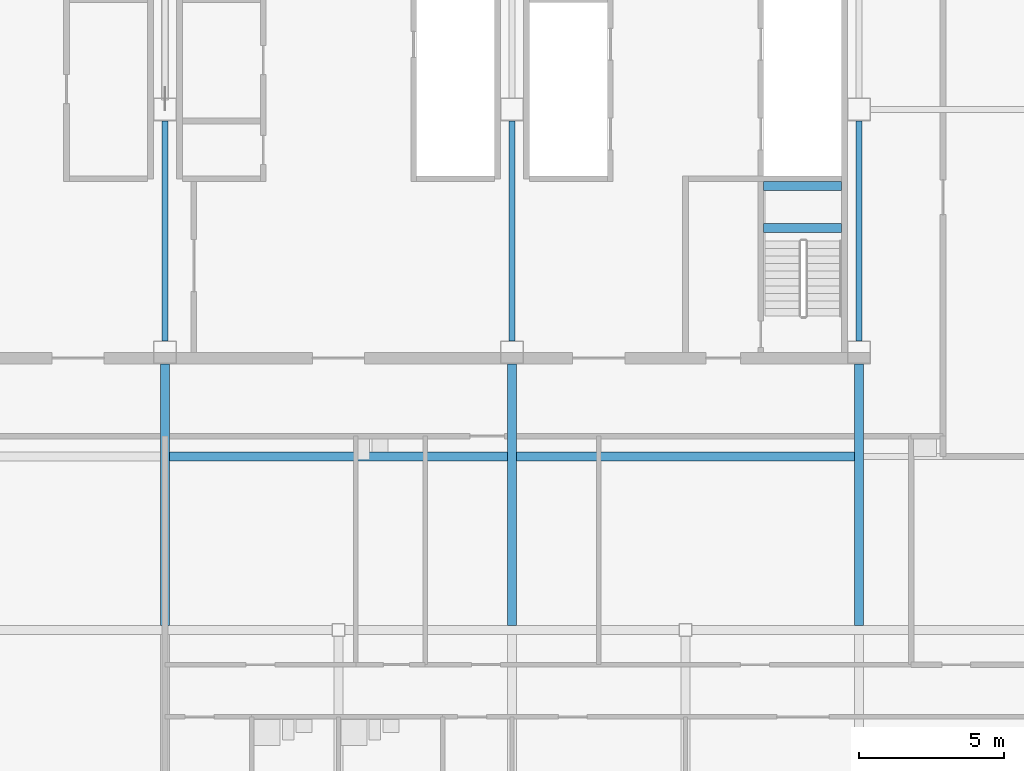
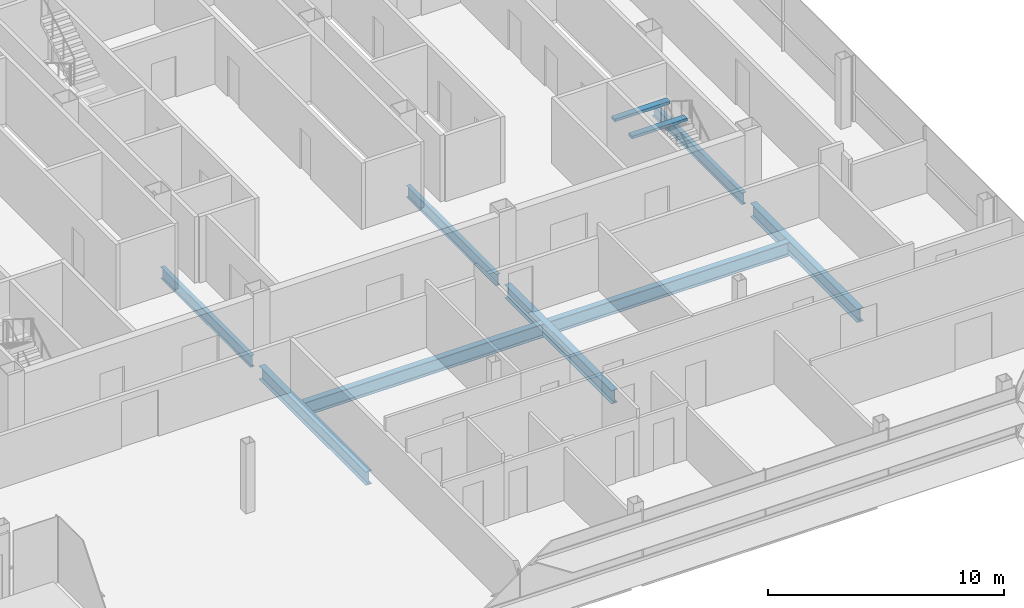
# One storey, part 14 of 31: 10 beams.
"""IFC4 building model written with IfcOpenShell, lengths in metres."""

import ifcopenshell
import ifcopenshell.guid

model = None  # the IFC model being written
_history = None  # IfcOwnerHistory: only IFC2X3 demands one
_inside = {}  # id of a spatial element -> (the spatial element, [elements in it])
_under = {}  # id of a project, library or spatial element -> (it, [spatial elements below it])
_declared = {}  # id of a project -> (the project, [libraries it declares])
_typed = {}  # id of a type object -> (the type object, [elements of that type])
_made_of = {}  # id of a material, layer set ... -> (it, [elements and type objects made of it])


def new_model(schema):
    """Start an empty IFC model of exactly this schema.

    Asked for "IFC4X3", IfcOpenShell would pick the latest addendum, in which some entities
    have other attributes; the version numbers below select the first issue.
    IFC2X3 requires an IfcOwnerHistory on every rooted entity: one is made here for all.
    """
    global model, _history
    if schema == "IFC4X3":
        model = ifcopenshell.file(schema_version=(4, 3, 0, 0))
    else:
        model = ifcopenshell.file(schema=schema)
    _inside.clear()
    _under.clear()
    _declared.clear()
    _typed.clear()
    _made_of.clear()
    _history = None
    if model.schema == "IFC2X3":
        org = make("IfcOrganization", Name="unknown")
        user = make(
            "IfcPersonAndOrganization",
            ThePerson=make("IfcPerson", FamilyName="unknown"),
            TheOrganization=org,
        )
        app = make(
            "IfcApplication",
            ApplicationDeveloper=org,
            Version="unknown",
            ApplicationFullName="unknown",
            ApplicationIdentifier="unknown",
        )
        _history = make(
            "IfcOwnerHistory",
            OwningUser=user,
            OwningApplication=app,
            ChangeAction="ADDED",
            CreationDate=0,
        )
    return model


def make(cls, **values):
    """One entity of the class cls with the attributes given. An attribute that is None is left unset."""
    return model.create_entity(
        cls, **{name: value for name, value in values.items() if value is not None}
    )


def rooted(cls, **values):
    """An entity with a GlobalId (a new one), such as an element, a storey or a relation."""
    return make(cls, GlobalId=ifcopenshell.guid.new(), OwnerHistory=_history, **values)


def si_unit(unit_type, name, prefix=None):
    """IfcSIUnit, for example si_unit("LENGTHUNIT", "METRE", prefix="MILLI")."""
    return make("IfcSIUnit", UnitType=unit_type, Prefix=prefix, Name=name)


def assignment(units):
    """IfcUnitAssignment: the units of a project."""
    return None if units is None else make("IfcUnitAssignment", Units=units)


def point(xyz):
    """IfcCartesianPoint."""
    return None if xyz is None else make("IfcCartesianPoint", Coordinates=xyz)


def direction(xyz):
    """IfcDirection."""
    return None if xyz is None else make("IfcDirection", DirectionRatios=xyz)


def frame(location, z_axis=None, x_axis=None):
    """IfcAxis2Placement3D, a coordinate frame: its origin and axes. An axis left out is left unset."""
    return make(
        "IfcAxis2Placement3D",
        Location=point(location),
        Axis=direction(z_axis),
        RefDirection=direction(x_axis),
    )


def frame_2d(location, x_axis=None):
    """IfcAxis2Placement2D, a coordinate frame in the plane: its origin and x axis."""
    return make(
        "IfcAxis2Placement2D", Location=point(location), RefDirection=direction(x_axis)
    )


def origin():
    """The frame at (0, 0, 0) with its axes left unset."""
    return frame((0.0, 0.0, 0.0))


def origin_2d():
    """The frame at (0, 0) in the plane with its x axis left unset."""
    return frame_2d((0.0, 0.0))


def place(relative_to, where):
    """IfcLocalPlacement: puts the frame where relative to a parent placement (None: the world)."""
    return make(
        "IfcLocalPlacement", PlacementRelTo=relative_to, RelativePlacement=where
    )


def context(
    kind, dimensions, precision=None, world=None, true_north=None, identifier=None
):
    """IfcGeometricRepresentationContext, for example the 3D "Model" context."""
    return make(
        "IfcGeometricRepresentationContext",
        ContextIdentifier=identifier,
        ContextType=kind,
        CoordinateSpaceDimension=dimensions,
        Precision=precision,
        WorldCoordinateSystem=world,
        TrueNorth=true_north,
    )


def subcontext(parent, identifier, kind, view, scale=None):
    """IfcGeometricRepresentationSubContext, for example "Body" below "Model"."""
    return make(
        "IfcGeometricRepresentationSubContext",
        ContextIdentifier=identifier,
        ContextType=kind,
        ParentContext=parent,
        TargetScale=scale,
        TargetView=view,
    )


def project(units=None, contexts=None):
    """IfcProject with its units and contexts."""
    return rooted(
        "IfcProject",
        Name="project",
        RepresentationContexts=contexts,
        UnitsInContext=assignment(units),
    )


def spatial(cls, under=None, at=None, **own):
    """A site, building, storey or space (cls), placed at a placement, below another one or the project."""
    s = rooted(cls, ObjectPlacement=at, **own)
    if under is not None:
        _under.setdefault(under.id(), (under, []))[1].append(s)
    return s


def profile(cls, at=None, kind="AREA", **sizes):
    """A parametric profile (cls). Its sizes go by their IFC names, for example OverallWidth=200.0."""
    return make(cls, ProfileType=kind, Position=at, **sizes)


def rectangle(**sizes):
    """IfcRectangleProfileDef."""
    return profile("IfcRectangleProfileDef", **sizes)


def i_section(**sizes):
    """IfcIShapeProfileDef."""
    return profile("IfcIShapeProfileDef", **sizes)


def extrude(swept, where, along, depth):
    """IfcExtrudedAreaSolid: the profile swept, set in the frame where, extruded along a direction by depth."""
    return make(
        "IfcExtrudedAreaSolid",
        SweptArea=swept,
        Position=where,
        ExtrudedDirection=direction(along),
        Depth=depth,
    )


def shape(context_of_items, identifier, shape_type, items):
    """IfcShapeRepresentation: the items that make up one representation, for example the "Body"."""
    return make(
        "IfcShapeRepresentation",
        ContextOfItems=context_of_items,
        RepresentationIdentifier=identifier,
        RepresentationType=shape_type,
        Items=items,
    )


def material(Name=None, Category=None):
    """IfcMaterial."""
    return make("IfcMaterial", Name=Name, Category=Category)


def material_profile(
    of_material, cross_section, Name=None, Category=None, Priority=None
):
    """IfcMaterialProfile: a cross section and its material."""
    return make(
        "IfcMaterialProfile",
        Name=Name,
        Material=of_material,
        Profile=cross_section,
        Priority=Priority,
        Category=Category,
    )


def profile_set(profiles, Name=None, composite=None):
    """IfcMaterialProfileSet."""
    return make(
        "IfcMaterialProfileSet",
        Name=Name,
        MaterialProfiles=profiles,
        CompositeProfile=composite,
    )


def made_of(thing, what):
    """Note that an element or type object is made of a material, layer set ...; save() writes the relation."""
    if what is not None:
        _made_of.setdefault(what.id(), (what, []))[1].append(thing)
    return thing


def type_object(cls, material=None, **own):
    """A type object (cls), such as IfcWallType, which elements share."""
    return made_of(rooted(cls, **own), material)


def element(
    cls,
    number,
    at=None,
    inside=None,
    cuts=None,
    type_object=None,
    material=None,
    context=None,
    identifier="Body",
    shape_type=None,
    held_by="IfcProductDefinitionShape",
    body=None,
    shapes=None,
    **own,
):
    """One element of the class cls, such as IfcWall. Its Tag is "e" and its number.

    at: its placement. inside: the storey or other place that contains it. cuts: it is an
    opening in that element (IfcRelVoidsElement). A single representation is given by context,
    identifier, shape_type and body (its items); several are given by shapes. held_by: the class
    of the entity that holds the representations. save() writes the other relations.
    """
    e = rooted(cls, Tag="e%d" % number, ObjectPlacement=at, **own)
    if body is not None:
        shapes = [shape(context, identifier, shape_type, body)]
    if shapes is not None:
        e.Representation = make(held_by, Representations=shapes)
    if inside is not None:
        _inside.setdefault(inside.id(), (inside, []))[1].append(e)
    if cuts is not None:
        rooted(
            "IfcRelVoidsElement", RelatingBuildingElement=cuts, RelatedOpeningElement=e
        )
    if type_object is not None:
        _typed.setdefault(type_object.id(), (type_object, []))[1].append(e)
    return made_of(e, material)


def aggregate(whole, parts):
    """IfcRelAggregates: a whole, such as a stair, and the parts it consists of."""
    return rooted("IfcRelAggregates", RelatingObject=whole, RelatedObjects=parts)


def save(model, path):
    """Write the relations noted so far, then the file.

    IfcRelAggregates (storeys below a building ...), IfcRelContainedInSpatialStructure (elements
    in a storey), IfcRelDefinesByType, IfcRelAssociatesMaterial and IfcRelDeclares: one each for
    every whole, place, type object, material and project.
    """
    for whole, parts in _under.values():
        aggregate(whole, parts)
    for where, things in _inside.values():
        rooted(
            "IfcRelContainedInSpatialStructure",
            RelatedElements=things,
            RelatingStructure=where,
        )
    for kind, things in _typed.values():
        rooted("IfcRelDefinesByType", RelatedObjects=things, RelatingType=kind)
    for what, things in _made_of.values():
        rooted("IfcRelAssociatesMaterial", RelatedObjects=things, RelatingMaterial=what)
    for by, libraries in _declared.values():
        rooted("IfcRelDeclares", RelatingContext=by, RelatedDefinitions=libraries)
    model.write(path)


model = new_model("IFC4")

# Units and contexts
model_context = context("Model", 3, precision=1e-05, world=origin(), true_north=direction((0.0, 1.0)))
body_context = subcontext(model_context, "Body", "Model", "MODEL_VIEW")
ifc_project = project(units=[si_unit("LENGTHUNIT", "METRE"), si_unit("AREAUNIT", "SQUARE_METRE"), si_unit("VOLUMEUNIT", "CUBIC_METRE"), si_unit("PLANEANGLEUNIT", "RADIAN"), si_unit("MASSUNIT", "GRAM", prefix="KILO")], contexts=[model_context])

# Site, building, storey
site_placement = place(None, origin())
site = spatial("IfcSite", under=ifc_project, at=site_placement, CompositionType="ELEMENT")
building_placement = place(site_placement, origin())
building = spatial("IfcBuilding", under=site, at=building_placement, Name="Sorahane Residences", CompositionType="ELEMENT")
storey_placement = place(building_placement, frame((0.0, 0.0, 319.60009765625)))
storey = spatial("IfcBuildingStorey", under=building, at=storey_placement, Name="L76", CompositionType="ELEMENT", Elevation=319.60009765625)

# Beams
ifc_material_1 = material(Name="Concrete C40", Category="concrete")
ifc_material_profile_1 = material_profile(ifc_material_1, rectangle(XDim=0.300048828125, YDim=0.139892578125, at=origin_2d()), Name="300x140")
ifc_profile_set_1 = profile_set([ifc_material_profile_1], Name="Concrete C40")
beam_type_1 = type_object("IfcBeamType", Name="RC landing beam 300 x 140 Concrete C40", PredefinedType="BEAM", material=ifc_profile_set_1)
for number, where, z_axis, x_axis, name in (
    (1, (38.699951171875, 25.89990234375, 1.52978515625), (1.0, 0.0, 0.0), (0.0, 1.0, 0.0), "Landing beam"),
    (2, (38.699951171875, 27.35009765625, 1.52978515625), (1.0, 0.0, 0.0), (0.0, 1.0, 0.0), "Landing beam"),
):
    element("IfcBeam", number, at=place(storey_placement, frame(where, z_axis=z_axis, x_axis=x_axis)), inside=storey, type_object=beam_type_1, Name=name, PredefinedType="BEAM", context=body_context, shape_type="SweptSolid", body=[
        extrude(rectangle(XDim=0.300048828125, YDim=0.139892578125, at=origin_2d()), origin(), (0.0, 0.0, 1.0), 2.699951171875),
    ])
ifc_material_2 = material(Name="Steel Q355B", Category="steel")
ifc_material_profile_2 = material_profile(ifc_material_2, i_section(OverallWidth=0.199951171875, OverallDepth=0.60009765625, WebThickness=0.010986328125, FlangeThickness=0.01708984375, FilletRadius=0.02392578125, at=origin_2d()), Name="HN 600x200x11x17")
ifc_profile_set_2 = profile_set([ifc_material_profile_2], Name="Steel Q355B")
beam_type_2 = type_object("IfcBeamType", Name="Steel floor beam HN 600x200x11x17 Q355B", PredefinedType="BEAM", material=ifc_profile_set_2)
for number, where, z_axis, x_axis, name in (
    (3, (18.0, 22.0, -0.47998046875), (0.0, 1.0, 0.0), (-1.0, 0.0, 0.0), "Beam L76 041"),
    (4, (30.0, 22.0, -0.47998046875), (0.0, 1.0, 0.0), (-1.0, 0.0, 0.0), "Beam L76 049"),
    (5, (42.0, 22.0, -0.47998046875), (0.0, 1.0, 0.0), (-1.0, 0.0, 0.0), "Beam L76 057"),
):
    element("IfcBeam", number, at=place(storey_placement, frame(where, z_axis=z_axis, x_axis=x_axis)), inside=storey, type_object=beam_type_2, Name=name, PredefinedType="BEAM", context=body_context, shape_type="SweptSolid", body=[
        extrude(i_section(OverallWidth=0.199951171875, OverallDepth=0.60009765625, WebThickness=0.010986328125, FlangeThickness=0.01708984375, FilletRadius=0.02392578125, at=origin_2d()), origin(), (0.0, 0.0, 1.0), 7.60009765625),
    ])
ifc_material_3 = material(Name="Steel Q355B", Category="steel")
ifc_material_profile_3 = material_profile(ifc_material_3, i_section(OverallWidth=0.300048828125, OverallDepth=0.699951171875, WebThickness=0.012939453125, FlangeThickness=0.02392578125, FilletRadius=0.028076171875, at=origin_2d()), Name="HN 700x300x13x24")
ifc_profile_set_3 = profile_set([ifc_material_profile_3], Name="Steel Q355B")
beam_type_3 = type_object("IfcBeamType", Name="Steel floor beam HN 700x300x13x24 Q355B", PredefinedType="BEAM", material=ifc_profile_set_3)
for number, where, z_axis, x_axis, name in (
    (6, (18.0, 12.14990234375, -0.530029296875), (0.0, 1.0, 0.0), (-1.0, 0.0, 0.0), "Beam L76 040"),
    (7, (30.0, 12.14990234375, -0.530029296875), (0.0, 1.0, 0.0), (-1.0, 0.0, 0.0), "Beam L76 048"),
    (8, (42.0, 12.14990234375, -0.530029296875), (0.0, 1.0, 0.0), (-1.0, 0.0, 0.0), "Beam L76 056"),
):
    element("IfcBeam", number, at=place(storey_placement, frame(where, z_axis=z_axis, x_axis=x_axis)), inside=storey, type_object=beam_type_3, Name=name, PredefinedType="BEAM", context=body_context, shape_type="SweptSolid", body=[
        extrude(i_section(OverallWidth=0.300048828125, OverallDepth=0.699951171875, WebThickness=0.012939453125, FlangeThickness=0.02392578125, FilletRadius=0.028076171875, at=origin_2d()), origin(), (0.0, 0.0, 1.0), 9.050048828125),
    ])
for number, where, z_axis, x_axis, name in (
    (9, (18.14990234375, 18.0, -0.530029296875), (1.0, 0.0, 0.0), (0.0, 1.0, 0.0), "Beam L76 078"),
    (10, (30.14990234375, 18.0, -0.530029296875), (1.0, 0.0, 0.0), (0.0, 1.0, 0.0), "Beam L76 079"),
):
    element("IfcBeam", number, at=place(storey_placement, frame(where, z_axis=z_axis, x_axis=x_axis)), inside=storey, type_object=beam_type_3, Name=name, PredefinedType="BEAM", context=body_context, shape_type="SweptSolid", body=[
        extrude(i_section(OverallWidth=0.300048828125, OverallDepth=0.699951171875, WebThickness=0.012939453125, FlangeThickness=0.02392578125, FilletRadius=0.028076171875, at=origin_2d()), origin(), (0.0, 0.0, 1.0), 11.7001953125),
    ])

save(model, "model.ifc")
